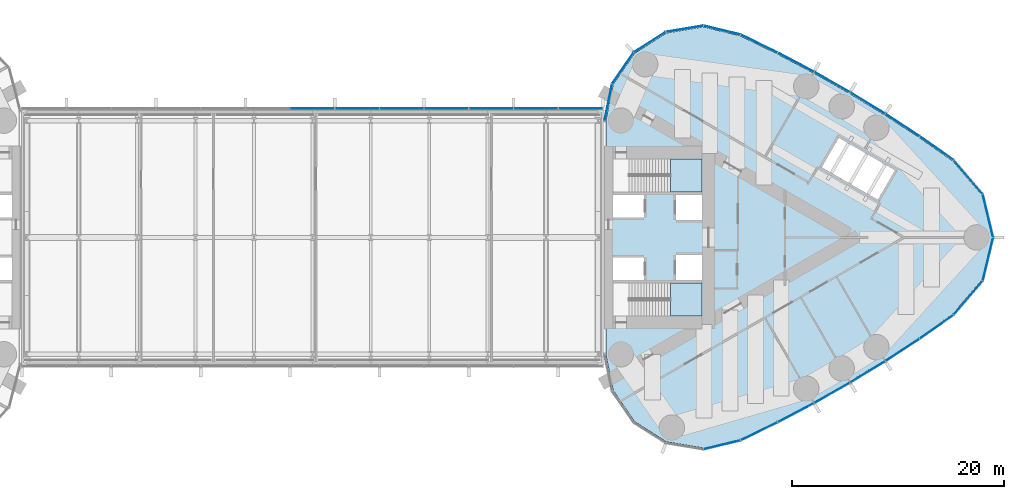
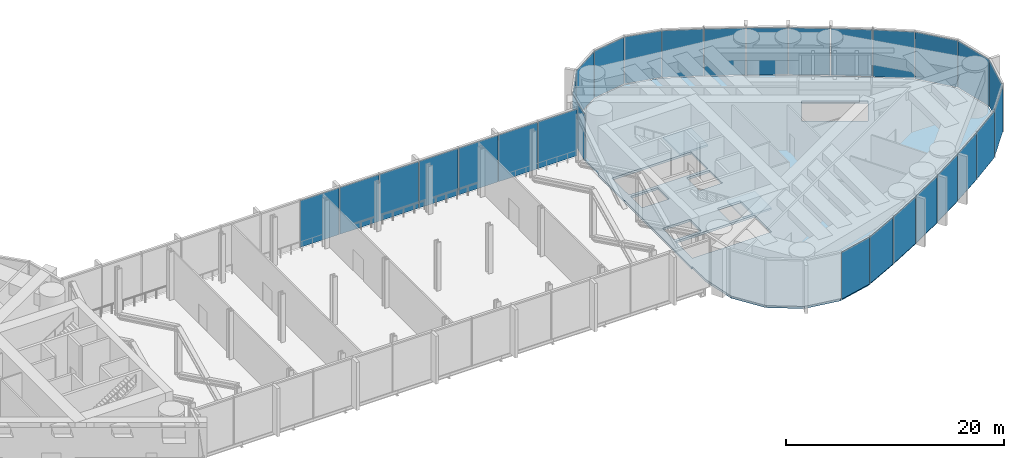
# One storey, part 14 of 21: 29 plates, 3 slabs, 4 elements without a shape of their own.
"""IFC4 building model written with IfcOpenShell, lengths in metres."""

import ifcopenshell
import ifcopenshell.guid

model = None  # the IFC model being written
_history = None  # IfcOwnerHistory: only IFC2X3 demands one
_inside = {}  # id of a spatial element -> (the spatial element, [elements in it])
_under = {}  # id of a project, library or spatial element -> (it, [spatial elements below it])
_declared = {}  # id of a project -> (the project, [libraries it declares])
_typed = {}  # id of a type object -> (the type object, [elements of that type])
_made_of = {}  # id of a material, layer set ... -> (it, [elements and type objects made of it])


def new_model(schema):
    """Start an empty IFC model of exactly this schema.

    Asked for "IFC4X3", IfcOpenShell would pick the latest addendum, in which some entities
    have other attributes; the version numbers below select the first issue.
    IFC2X3 requires an IfcOwnerHistory on every rooted entity: one is made here for all.
    """
    global model, _history
    if schema == "IFC4X3":
        model = ifcopenshell.file(schema_version=(4, 3, 0, 0))
    else:
        model = ifcopenshell.file(schema=schema)
    _inside.clear()
    _under.clear()
    _declared.clear()
    _typed.clear()
    _made_of.clear()
    _history = None
    if model.schema == "IFC2X3":
        org = make("IfcOrganization", Name="unknown")
        user = make(
            "IfcPersonAndOrganization",
            ThePerson=make("IfcPerson", FamilyName="unknown"),
            TheOrganization=org,
        )
        app = make(
            "IfcApplication",
            ApplicationDeveloper=org,
            Version="unknown",
            ApplicationFullName="unknown",
            ApplicationIdentifier="unknown",
        )
        _history = make(
            "IfcOwnerHistory",
            OwningUser=user,
            OwningApplication=app,
            ChangeAction="ADDED",
            CreationDate=0,
        )
    return model


def make(cls, **values):
    """One entity of the class cls with the attributes given. An attribute that is None is left unset."""
    return model.create_entity(
        cls, **{name: value for name, value in values.items() if value is not None}
    )


def rooted(cls, **values):
    """An entity with a GlobalId (a new one), such as an element, a storey or a relation."""
    return make(cls, GlobalId=ifcopenshell.guid.new(), OwnerHistory=_history, **values)


def si_unit(unit_type, name, prefix=None):
    """IfcSIUnit, for example si_unit("LENGTHUNIT", "METRE", prefix="MILLI")."""
    return make("IfcSIUnit", UnitType=unit_type, Prefix=prefix, Name=name)


def assignment(units):
    """IfcUnitAssignment: the units of a project."""
    return None if units is None else make("IfcUnitAssignment", Units=units)


def point(xyz):
    """IfcCartesianPoint."""
    return None if xyz is None else make("IfcCartesianPoint", Coordinates=xyz)


def direction(xyz):
    """IfcDirection."""
    return None if xyz is None else make("IfcDirection", DirectionRatios=xyz)


def frame(location, z_axis=None, x_axis=None):
    """IfcAxis2Placement3D, a coordinate frame: its origin and axes. An axis left out is left unset."""
    return make(
        "IfcAxis2Placement3D",
        Location=point(location),
        Axis=direction(z_axis),
        RefDirection=direction(x_axis),
    )


def frame_2d(location, x_axis=None):
    """IfcAxis2Placement2D, a coordinate frame in the plane: its origin and x axis."""
    return make(
        "IfcAxis2Placement2D", Location=point(location), RefDirection=direction(x_axis)
    )


def origin():
    """The frame at (0, 0, 0) with its axes left unset."""
    return frame((0.0, 0.0, 0.0))


def origin_2d():
    """The frame at (0, 0) in the plane with its x axis left unset."""
    return frame_2d((0.0, 0.0))


def place(relative_to, where):
    """IfcLocalPlacement: puts the frame where relative to a parent placement (None: the world)."""
    return make(
        "IfcLocalPlacement", PlacementRelTo=relative_to, RelativePlacement=where
    )


def context(
    kind, dimensions, precision=None, world=None, true_north=None, identifier=None
):
    """IfcGeometricRepresentationContext, for example the 3D "Model" context."""
    return make(
        "IfcGeometricRepresentationContext",
        ContextIdentifier=identifier,
        ContextType=kind,
        CoordinateSpaceDimension=dimensions,
        Precision=precision,
        WorldCoordinateSystem=world,
        TrueNorth=true_north,
    )


def subcontext(parent, identifier, kind, view, scale=None):
    """IfcGeometricRepresentationSubContext, for example "Body" below "Model"."""
    return make(
        "IfcGeometricRepresentationSubContext",
        ContextIdentifier=identifier,
        ContextType=kind,
        ParentContext=parent,
        TargetScale=scale,
        TargetView=view,
    )


def project(units=None, contexts=None):
    """IfcProject with its units and contexts."""
    return rooted(
        "IfcProject",
        Name="project",
        RepresentationContexts=contexts,
        UnitsInContext=assignment(units),
    )


def spatial(cls, under=None, at=None, **own):
    """A site, building, storey or space (cls), placed at a placement, below another one or the project."""
    s = rooted(cls, ObjectPlacement=at, **own)
    if under is not None:
        _under.setdefault(under.id(), (under, []))[1].append(s)
    return s


def polyline(points):
    """IfcPolyline through the points."""
    return make("IfcPolyline", Points=[point(p) for p in points])


def profile(cls, at=None, kind="AREA", **sizes):
    """A parametric profile (cls). Its sizes go by their IFC names, for example OverallWidth=200.0."""
    return make(cls, ProfileType=kind, Position=at, **sizes)


def rectangle(**sizes):
    """IfcRectangleProfileDef."""
    return profile("IfcRectangleProfileDef", **sizes)


def outline(outer, holes=None, kind="AREA"):
    """IfcArbitraryClosedProfileDef: a profile drawn as a closed curve; with holes, ...WithVoids."""
    if holes is None:
        return make("IfcArbitraryClosedProfileDef", ProfileType=kind, OuterCurve=outer)
    return make(
        "IfcArbitraryProfileDefWithVoids",
        ProfileType=kind,
        OuterCurve=outer,
        InnerCurves=holes,
    )


def extrude(swept, where, along, depth):
    """IfcExtrudedAreaSolid: the profile swept, set in the frame where, extruded along a direction by depth."""
    return make(
        "IfcExtrudedAreaSolid",
        SweptArea=swept,
        Position=where,
        ExtrudedDirection=direction(along),
        Depth=depth,
    )


def shape(context_of_items, identifier, shape_type, items):
    """IfcShapeRepresentation: the items that make up one representation, for example the "Body"."""
    return make(
        "IfcShapeRepresentation",
        ContextOfItems=context_of_items,
        RepresentationIdentifier=identifier,
        RepresentationType=shape_type,
        Items=items,
    )


def material(Name=None, Category=None):
    """IfcMaterial."""
    return make("IfcMaterial", Name=Name, Category=Category)


def layer(
    of_material, thickness, ventilated=None, Name=None, Category=None, Priority=None
):
    """IfcMaterialLayer: one layer of a wall or slab, of a material (None: an air gap)."""
    return make(
        "IfcMaterialLayer",
        Material=of_material,
        LayerThickness=thickness,
        IsVentilated=ventilated,
        Name=Name,
        Category=Category,
        Priority=Priority,
    )


def layer_set(layers, Name=None):
    """IfcMaterialLayerSet."""
    return make("IfcMaterialLayerSet", MaterialLayers=layers, LayerSetName=Name)


def made_of(thing, what):
    """Note that an element or type object is made of a material, layer set ...; save() writes the relation."""
    if what is not None:
        _made_of.setdefault(what.id(), (what, []))[1].append(thing)
    return thing


def type_object(cls, material=None, **own):
    """A type object (cls), such as IfcWallType, which elements share."""
    return made_of(rooted(cls, **own), material)


def element(
    cls,
    number,
    at=None,
    inside=None,
    cuts=None,
    type_object=None,
    material=None,
    context=None,
    identifier="Body",
    shape_type=None,
    held_by="IfcProductDefinitionShape",
    body=None,
    shapes=None,
    **own,
):
    """One element of the class cls, such as IfcWall. Its Tag is "e" and its number.

    at: its placement. inside: the storey or other place that contains it. cuts: it is an
    opening in that element (IfcRelVoidsElement). A single representation is given by context,
    identifier, shape_type and body (its items); several are given by shapes. held_by: the class
    of the entity that holds the representations. save() writes the other relations.
    """
    e = rooted(cls, Tag="e%d" % number, ObjectPlacement=at, **own)
    if body is not None:
        shapes = [shape(context, identifier, shape_type, body)]
    if shapes is not None:
        e.Representation = make(held_by, Representations=shapes)
    if inside is not None:
        _inside.setdefault(inside.id(), (inside, []))[1].append(e)
    if cuts is not None:
        rooted(
            "IfcRelVoidsElement", RelatingBuildingElement=cuts, RelatedOpeningElement=e
        )
    if type_object is not None:
        _typed.setdefault(type_object.id(), (type_object, []))[1].append(e)
    return made_of(e, material)


def aggregate(whole, parts):
    """IfcRelAggregates: a whole, such as a stair, and the parts it consists of."""
    return rooted("IfcRelAggregates", RelatingObject=whole, RelatedObjects=parts)


def save(model, path):
    """Write the relations noted so far, then the file.

    IfcRelAggregates (storeys below a building ...), IfcRelContainedInSpatialStructure (elements
    in a storey), IfcRelDefinesByType, IfcRelAssociatesMaterial and IfcRelDeclares: one each for
    every whole, place, type object, material and project.
    """
    for whole, parts in _under.values():
        aggregate(whole, parts)
    for where, things in _inside.values():
        rooted(
            "IfcRelContainedInSpatialStructure",
            RelatedElements=things,
            RelatingStructure=where,
        )
    for kind, things in _typed.values():
        rooted("IfcRelDefinesByType", RelatedObjects=things, RelatingType=kind)
    for what, things in _made_of.values():
        rooted("IfcRelAssociatesMaterial", RelatedObjects=things, RelatingMaterial=what)
    for by, libraries in _declared.values():
        rooted("IfcRelDeclares", RelatingContext=by, RelatedDefinitions=libraries)
    model.write(path)


model = new_model("IFC4")

# Units and contexts
model_context = context("Model", 3, precision=1e-05, world=origin(), true_north=direction((0.0, 1.0)))
body_context = subcontext(model_context, "Body", "Model", "MODEL_VIEW")
ifc_project = project(units=[si_unit("LENGTHUNIT", "METRE"), si_unit("AREAUNIT", "SQUARE_METRE"), si_unit("VOLUMEUNIT", "CUBIC_METRE"), si_unit("PLANEANGLEUNIT", "RADIAN"), si_unit("MASSUNIT", "GRAM", prefix="KILO")], contexts=[model_context])

# Site, building, storey
site_placement = place(None, origin())
site = spatial("IfcSite", under=ifc_project, at=site_placement, CompositionType="ELEMENT")
building_placement = place(site_placement, origin())
building = spatial("IfcBuilding", under=site, at=building_placement, Name="Lancet Gate Hotel", CompositionType="ELEMENT")
storey_placement = place(building_placement, frame((0.0, 0.0, 251.89990234375)))
storey = spatial("IfcBuildingStorey", under=building, at=storey_placement, Name="L67", CompositionType="ELEMENT", Elevation=251.89990234375)

# Slab
ifc_material_1 = material(Name="Concrete C50/60", Category="concrete")
ifc_layer_1 = layer(ifc_material_1, 0.25)
ifc_layer_set_1 = layer_set([ifc_layer_1], Name="Floor slab 250")
slab_type_1 = type_object("IfcSlabType", Name="Floor slab 250", PredefinedType="FLOOR", material=ifc_layer_set_1)
slab_1_placement = place(storey_placement, frame((0.0, 0.0, -0.25)))
element("IfcSlab", 1, at=slab_1_placement, inside=storey, type_object=slab_type_1, Name="T2 L67 floor slab", PredefinedType="FLOOR", context=body_context, shape_type="SweptSolid", body=[
    extrude(outline(polyline([(27.5, -8.60009765625), (27.6201171875, -8.60009765625), (27.6201171875, -10.93603515625), (28.329345703125, -14.419677734375), (30.33740234375, -17.338134765625), (33.326904296875, -19.2392578125), (36.82177734375, -19.81982421875), (40.2763671875, -18.98486328125), (43.753662109375, -17.2890625), (47.18603515625, -15.47998046875), (50.5595703125, -13.56396484375), (53.87158203125, -11.54296875), (57.118408203125, -9.4189453125), (60.2861328125, -7.20166015625), (62.99658203125, -4.03759765625), (63.968017578125, 0.0), (62.99658203125, 4.03759765625), (60.2861328125, 7.20166015625), (57.118408203125, 9.4189453125), (53.87158203125, 11.54296875), (50.5595703125, 13.56396484375), (47.18603515625, 15.47998046875), (43.753662109375, 17.2890625), (40.2763671875, 18.98486328125), (36.82177734375, 19.81982421875), (33.326904296875, 19.2392578125), (30.33740234375, 17.338134765625), (28.329345703125, 14.419677734375), (27.6201171875, 10.93603515625), (27.6201171875, 8.60009765625), (27.5, 8.60009765625), (27.5, 8.199951171875), (27.5, -8.199951171875), (27.5, -8.60009765625)]), holes=[polyline([(36.699951171875, -7.39990234375), (36.699951171875, -4.300048828125), (28.300048828125, -4.300048828125), (28.300048828125, -7.39990234375), (36.699951171875, -7.39990234375)]), polyline([(28.300048828125, -4.0), (31.199951171875, -4.0), (31.199951171875, -1.89990234375), (28.300048828125, -1.89990234375), (28.300048828125, -4.0)]), polyline([(34.25, -4.0), (36.699951171875, -4.0), (36.699951171875, -1.64990234375), (34.25, -1.64990234375), (34.25, -4.0)]), polyline([(36.699951171875, 1.64990234375), (36.699951171875, 4.0), (34.25, 4.0), (34.25, 1.64990234375), (36.699951171875, 1.64990234375)]), polyline([(28.300048828125, 1.89990234375), (31.199951171875, 1.89990234375), (31.199951171875, 4.0), (28.300048828125, 4.0), (28.300048828125, 1.89990234375)]), polyline([(28.300048828125, 4.300048828125), (36.699951171875, 4.300048828125), (36.699951171875, 7.39990234375), (28.300048828125, 7.39990234375), (28.300048828125, 4.300048828125)]), polyline([(53.242919921875, 3.555908203125), (54.843017578125, 6.326904296875), (49.56103515625, 9.376953125), (47.9609375, 6.60595703125), (53.242919921875, 3.555908203125)])]), origin(), (0.0, 0.0, 1.0), 0.25),
])

# Curtain wall, plates
ifc_material_2 = material(Name="Aluminium curtain wall", Category="aluminium")
curtain_wall_type = type_object("IfcCurtainWallType", Name="Sky deck full-height glazing", PredefinedType="USERDEFINED", material=ifc_material_2)
curtain_wall_1_placement = place(storey_placement, origin())
curtain_wall_1 = element("IfcCurtainWall", 2, at=curtain_wall_1_placement, inside=storey, type_object=curtain_wall_type, Name="T2 L67 curtain wall 1", ObjectType="UNITISED CURTAIN WALL", PredefinedType="USERDEFINED")
ifc_material_3 = material(Name="Laminated double glazed unit 10-20-14")
ifc_layer_2 = layer(ifc_material_3, 0.0439453125)
ifc_layer_set_2 = layer_set([ifc_layer_2], Name="Sky deck glass panel")
plate_type = type_object("IfcPlateType", Name="Sky deck glass panel", PredefinedType="CURTAIN_PANEL", material=ifc_layer_set_2)
plate_1_placement = place(storey_placement, frame((38.57177734375, -19.520263671875, 0.0), z_axis=(0.0, 0.0, 1.0), x_axis=(0.972013837597, 0.234923603582, 0.0)))
plate_1 = element("IfcPlate", 3, at=plate_1_placement, type_object=plate_type, Name="T2 L67 curtain wall 1 panel 5", PredefinedType="CURTAIN_PANEL", context=body_context, shape_type="SweptSolid", body=[
    extrude(rectangle(XDim=3.526611328125, YDim=0.0439453125, at=origin_2d()), origin(), (0.0, 0.0, 1.0), 5.25),
])
plate_2_placement = place(storey_placement, frame((42.062744140625, -18.247314453125, 0.0), z_axis=(0.0, 0.0, 1.0), x_axis=(0.898823462202, 0.438310830114, 0.0)))
plate_2 = element("IfcPlate", 4, at=plate_2_placement, type_object=plate_type, Name="T2 L67 curtain wall 1 panel 6", PredefinedType="CURTAIN_PANEL", context=body_context, shape_type="SweptSolid", body=[
    extrude(rectangle(XDim=3.818603515625, YDim=0.0439453125, at=origin_2d()), origin(), (0.0, 0.0, 1.0), 5.25),
])
plate_3_placement = place(storey_placement, frame((45.52587890625, -16.49072265625, 0.0), z_axis=(0.0, 0.0, 1.0), x_axis=(0.884622760861, 0.466307378204, 0.0)))
plate_3 = element("IfcPlate", 5, at=plate_3_placement, type_object=plate_type, Name="T2 L67 curtain wall 1 panel 7", PredefinedType="CURTAIN_PANEL", context=body_context, shape_type="SweptSolid", body=[
    extrude(rectangle(XDim=3.818603515625, YDim=0.0439453125, at=origin_2d()), origin(), (0.0, 0.0, 1.0), 5.25),
])
plate_4_placement = place(storey_placement, frame((48.93212890625, -14.626220703125, 0.0), z_axis=(0.0, 0.0, 1.0), x_axis=(0.869550293306, 0.493844395951, 0.0)))
plate_4 = element("IfcPlate", 6, at=plate_4_placement, type_object=plate_type, Name="T2 L67 curtain wall 1 panel 8", PredefinedType="CURTAIN_PANEL", context=body_context, shape_type="SweptSolid", body=[
    extrude(rectangle(XDim=3.818603515625, YDim=0.0439453125, at=origin_2d()), origin(), (0.0, 0.0, 1.0), 5.25),
])
plate_5_placement = place(storey_placement, frame((52.278076171875, -12.65576171875, 0.0), z_axis=(0.0, 0.0, 1.0), x_axis=(0.853620912967, 0.520894746513, 0.0)))
plate_5 = element("IfcPlate", 7, at=plate_5_placement, type_object=plate_type, Name="T2 L67 curtain wall 1 panel 9", PredefinedType="CURTAIN_PANEL", context=body_context, shape_type="SweptSolid", body=[
    extrude(rectangle(XDim=3.818603515625, YDim=0.0439453125, at=origin_2d()), origin(), (0.0, 0.0, 1.0), 5.25),
])
plate_6_placement = place(storey_placement, frame((55.560791015625, -10.581298828125, 0.0), z_axis=(0.0, 0.0, 1.0), x_axis=(0.83685031771, 0.547431772688, 0.0)))
plate_6 = element("IfcPlate", 8, at=plate_6_placement, type_object=plate_type, Name="T2 L67 curtain wall 1 panel 10", PredefinedType="CURTAIN_PANEL", context=body_context, shape_type="SweptSolid", body=[
    extrude(rectangle(XDim=3.818603515625, YDim=0.0439453125, at=origin_2d()), origin(), (0.0, 0.0, 1.0), 5.25),
])
plate_7_placement = place(storey_placement, frame((58.776611328125, -8.40478515625, 0.0), z_axis=(0.0, 0.0, 1.0), x_axis=(0.819255034386, 0.573429323137, 0.0)))
plate_7 = element("IfcPlate", 9, at=plate_7_placement, type_object=plate_type, Name="T2 L67 curtain wall 1 panel 11", PredefinedType="CURTAIN_PANEL", context=body_context, shape_type="SweptSolid", body=[
    extrude(rectangle(XDim=3.818603515625, YDim=0.0439453125, at=origin_2d()), origin(), (0.0, 0.0, 1.0), 5.25),
])
plate_8_placement = place(storey_placement, frame((61.737060546875, -5.692626953125, 0.0), z_axis=(0.0, 0.0, 1.0), x_axis=(0.650551562434, 0.759462088991, 0.0)))
plate_8 = element("IfcPlate", 10, at=plate_8_placement, type_object=plate_type, Name="T2 L67 curtain wall 1 panel 12", PredefinedType="CURTAIN_PANEL", context=body_context, shape_type="SweptSolid", body=[
    extrude(rectangle(XDim=4.1455078125, YDim=0.0439453125, at=origin_2d()), origin(), (0.0, 0.0, 1.0), 5.25),
])
plate_9_placement = place(storey_placement, frame((63.598876953125, -2.046875, 0.0), z_axis=(0.0, 0.0, 1.0), x_axis=(0.233916001796, 0.972256809749, 0.0)))
plate_9 = element("IfcPlate", 11, at=plate_9_placement, type_object=plate_type, Name="T2 L67 curtain wall 1 panel 13", PredefinedType="CURTAIN_PANEL", context=body_context, shape_type="SweptSolid", body=[
    extrude(rectangle(XDim=4.1455078125, YDim=0.0439453125, at=origin_2d()), origin(), (0.0, 0.0, 1.0), 5.25),
])
plate_10_placement = place(storey_placement, frame((63.598876953125, 2.046875, 0.0), z_axis=(0.0, 0.0, 1.0), x_axis=(-0.233916001796, 0.972256809749, 0.0)))
plate_10 = element("IfcPlate", 12, at=plate_10_placement, type_object=plate_type, Name="T2 L67 curtain wall 1 panel 14", PredefinedType="CURTAIN_PANEL", context=body_context, shape_type="SweptSolid", body=[
    extrude(rectangle(XDim=4.1455078125, YDim=0.0439453125, at=origin_2d()), origin(), (0.0, 0.0, 1.0), 5.25),
])
plate_11_placement = place(storey_placement, frame((61.737060546875, 5.692626953125, 0.0), z_axis=(0.0, 0.0, 1.0), x_axis=(-0.650551562434, 0.759462088991, 0.0)))
plate_11 = element("IfcPlate", 13, at=plate_11_placement, type_object=plate_type, Name="T2 L67 curtain wall 1 panel 15", PredefinedType="CURTAIN_PANEL", context=body_context, shape_type="SweptSolid", body=[
    extrude(rectangle(XDim=4.1455078125, YDim=0.0439453125, at=origin_2d()), origin(), (0.0, 0.0, 1.0), 5.25),
])
plate_12_placement = place(storey_placement, frame((58.776611328125, 8.40478515625, 0.0), z_axis=(0.0, 0.0, 1.0), x_axis=(-0.819255034386, 0.573429323137, 0.0)))
plate_12 = element("IfcPlate", 14, at=plate_12_placement, type_object=plate_type, Name="T2 L67 curtain wall 1 panel 16", PredefinedType="CURTAIN_PANEL", context=body_context, shape_type="SweptSolid", body=[
    extrude(rectangle(XDim=3.818603515625, YDim=0.0439453125, at=origin_2d()), origin(), (0.0, 0.0, 1.0), 5.25),
])
plate_13_placement = place(storey_placement, frame((55.560791015625, 10.581298828125, 0.0), z_axis=(0.0, 0.0, 1.0), x_axis=(-0.83685031771, 0.547431772688, 0.0)))
plate_13 = element("IfcPlate", 15, at=plate_13_placement, type_object=plate_type, Name="T2 L67 curtain wall 1 panel 17", PredefinedType="CURTAIN_PANEL", context=body_context, shape_type="SweptSolid", body=[
    extrude(rectangle(XDim=3.818603515625, YDim=0.0439453125, at=origin_2d()), origin(), (0.0, 0.0, 1.0), 5.25),
])
plate_14_placement = place(storey_placement, frame((52.278076171875, 12.65576171875, 0.0), z_axis=(0.0, 0.0, 1.0), x_axis=(-0.853620912967, 0.520894746513, 0.0)))
plate_14 = element("IfcPlate", 16, at=plate_14_placement, type_object=plate_type, Name="T2 L67 curtain wall 1 panel 18", PredefinedType="CURTAIN_PANEL", context=body_context, shape_type="SweptSolid", body=[
    extrude(rectangle(XDim=3.818603515625, YDim=0.0439453125, at=origin_2d()), origin(), (0.0, 0.0, 1.0), 5.25),
])
plate_15_placement = place(storey_placement, frame((48.93212890625, 14.626220703125, 0.0), z_axis=(0.0, 0.0, 1.0), x_axis=(-0.869550293306, 0.493844395951, 0.0)))
plate_15 = element("IfcPlate", 17, at=plate_15_placement, type_object=plate_type, Name="T2 L67 curtain wall 1 panel 19", PredefinedType="CURTAIN_PANEL", context=body_context, shape_type="SweptSolid", body=[
    extrude(rectangle(XDim=3.818603515625, YDim=0.0439453125, at=origin_2d()), origin(), (0.0, 0.0, 1.0), 5.25),
])
plate_16_placement = place(storey_placement, frame((45.52587890625, 16.49072265625, 0.0), z_axis=(0.0, 0.0, 1.0), x_axis=(-0.884622760861, 0.466307378204, 0.0)))
plate_16 = element("IfcPlate", 18, at=plate_16_placement, type_object=plate_type, Name="T2 L67 curtain wall 1 panel 20", PredefinedType="CURTAIN_PANEL", context=body_context, shape_type="SweptSolid", body=[
    extrude(rectangle(XDim=3.818603515625, YDim=0.0439453125, at=origin_2d()), origin(), (0.0, 0.0, 1.0), 5.25),
])
plate_17_placement = place(storey_placement, frame((42.062744140625, 18.247314453125, 0.0), z_axis=(0.0, 0.0, 1.0), x_axis=(-0.898823462202, 0.438310830114, 0.0)))
plate_17 = element("IfcPlate", 19, at=plate_17_placement, type_object=plate_type, Name="T2 L67 curtain wall 1 panel 21", PredefinedType="CURTAIN_PANEL", context=body_context, shape_type="SweptSolid", body=[
    extrude(rectangle(XDim=3.818603515625, YDim=0.0439453125, at=origin_2d()), origin(), (0.0, 0.0, 1.0), 5.25),
])
plate_18_placement = place(storey_placement, frame((38.57177734375, 19.520263671875, 0.0), z_axis=(0.0, 0.0, 1.0), x_axis=(-0.972013837597, 0.234923603582, 0.0)))
plate_18 = element("IfcPlate", 20, at=plate_18_placement, type_object=plate_type, Name="T2 L67 curtain wall 1 panel 22", PredefinedType="CURTAIN_PANEL", context=body_context, shape_type="SweptSolid", body=[
    extrude(rectangle(XDim=3.526611328125, YDim=0.0439453125, at=origin_2d()), origin(), (0.0, 0.0, 1.0), 5.25),
])
plate_19_placement = place(storey_placement, frame((35.0546875, 19.64794921875, 0.0), z_axis=(0.0, 0.0, 1.0), x_axis=(-0.986480101775, -0.163881081283, 0.0)))
plate_19 = element("IfcPlate", 21, at=plate_19_placement, type_object=plate_type, Name="T2 L67 curtain wall 1 panel 23", PredefinedType="CURTAIN_PANEL", context=body_context, shape_type="SweptSolid", body=[
    extrude(rectangle(XDim=3.526611328125, YDim=0.0439453125, at=origin_2d()), origin(), (0.0, 0.0, 1.0), 5.25),
])
plate_20_placement = place(storey_placement, frame((31.767822265625, 18.389892578125, 0.0), z_axis=(0.0, 0.0, 1.0), x_axis=(-0.843845020422, -0.536586974785, 0.0)))
plate_20 = element("IfcPlate", 22, at=plate_20_placement, type_object=plate_type, Name="T2 L67 curtain wall 1 panel 24", PredefinedType="CURTAIN_PANEL", context=body_context, shape_type="SweptSolid", body=[
    extrude(rectangle(XDim=3.526611328125, YDim=0.0439453125, at=origin_2d()), origin(), (0.0, 0.0, 1.0), 5.25),
])
plate_21_placement = place(storey_placement, frame((29.234619140625, 15.947021484375, 0.0), z_axis=(0.0, 0.0, 1.0), x_axis=(-0.566823864908, -0.823839005007, 0.0)))
plate_21 = element("IfcPlate", 23, at=plate_21_placement, type_object=plate_type, Name="T2 L67 curtain wall 1 panel 25", PredefinedType="CURTAIN_PANEL", context=body_context, shape_type="SweptSolid", body=[
    extrude(rectangle(XDim=3.526611328125, YDim=0.0439453125, at=origin_2d()), origin(), (0.0, 0.0, 1.0), 5.25),
])
plate_22_placement = place(storey_placement, frame((27.8583984375, 12.707763671875, 0.0), z_axis=(0.0, 0.0, 1.0), x_axis=(-0.199533486841, -0.979891008036, 0.0)))
plate_22 = element("IfcPlate", 24, at=plate_22_placement, type_object=plate_type, Name="T2 L67 curtain wall 1 panel 26", PredefinedType="CURTAIN_PANEL", context=body_context, shape_type="SweptSolid", body=[
    extrude(rectangle(XDim=3.526611328125, YDim=0.0439453125, at=origin_2d()), origin(), (0.0, 0.0, 1.0), 5.25),
])
aggregate(curtain_wall_1, [plate_1, plate_2, plate_3, plate_4, plate_5, plate_6, plate_7, plate_8, plate_9, plate_10, plate_11, plate_12, plate_13, plate_14, plate_15, plate_16, plate_17, plate_18, plate_19, plate_20, plate_21, plate_22])

curtain_wall_2_placement = place(storey_placement, origin())
curtain_wall_2 = element("IfcCurtainWall", 25, at=curtain_wall_2_placement, inside=storey, type_object=curtain_wall_type, Name="Bridge block L67 curtain wall N", ObjectType="UNITISED CURTAIN WALL", PredefinedType="USERDEFINED")
plate_23_placement = place(storey_placement, frame((25.24609375, 12.1201171875, 0.0), z_axis=(0.0, 0.0, 1.0), x_axis=(-1.0, 0.0, 0.0)))
plate_23 = element("IfcPlate", 26, at=plate_23_placement, type_object=plate_type, Name="Bridge block L67 curtain wall N panel 1", PredefinedType="CURTAIN_PANEL", context=body_context, shape_type="SweptSolid", body=[
    extrude(rectangle(XDim=4.142578125, YDim=0.0439453125, at=origin_2d()), origin(), (0.0, 0.0, 1.0), 5.25),
])
plate_24_placement = place(storey_placement, frame((21.03857421875, 12.1201171875, 0.0), z_axis=(0.0, 0.0, 1.0), x_axis=(-1.0, 0.0, 0.0)))
plate_24 = element("IfcPlate", 27, at=plate_24_placement, type_object=plate_type, Name="Bridge block L67 curtain wall N panel 2", PredefinedType="CURTAIN_PANEL", context=body_context, shape_type="SweptSolid", body=[
    extrude(rectangle(XDim=4.142578125, YDim=0.0439453125, at=origin_2d()), origin(), (0.0, 0.0, 1.0), 5.25),
])
plate_25_placement = place(storey_placement, frame((16.830810546875, 12.1201171875, 0.0), z_axis=(0.0, 0.0, 1.0), x_axis=(-1.0, 0.0, 0.0)))
plate_25 = element("IfcPlate", 28, at=plate_25_placement, type_object=plate_type, Name="Bridge block L67 curtain wall N panel 3", PredefinedType="CURTAIN_PANEL", context=body_context, shape_type="SweptSolid", body=[
    extrude(rectangle(XDim=4.142578125, YDim=0.0439453125, at=origin_2d()), origin(), (0.0, 0.0, 1.0), 5.25),
])
plate_26_placement = place(storey_placement, frame((12.623046875, 12.1201171875, 0.0), z_axis=(0.0, 0.0, 1.0), x_axis=(-1.0, 0.0, 0.0)))
plate_26 = element("IfcPlate", 29, at=plate_26_placement, type_object=plate_type, Name="Bridge block L67 curtain wall N panel 4", PredefinedType="CURTAIN_PANEL", context=body_context, shape_type="SweptSolid", body=[
    extrude(rectangle(XDim=4.142578125, YDim=0.0439453125, at=origin_2d()), origin(), (0.0, 0.0, 1.0), 5.25),
])
plate_27_placement = place(storey_placement, frame((8.415283203125, 12.1201171875, 0.0), z_axis=(0.0, 0.0, 1.0), x_axis=(-1.0, 0.0, 0.0)))
plate_27 = element("IfcPlate", 30, at=plate_27_placement, type_object=plate_type, Name="Bridge block L67 curtain wall N panel 5", PredefinedType="CURTAIN_PANEL", context=body_context, shape_type="SweptSolid", body=[
    extrude(rectangle(XDim=4.142578125, YDim=0.0439453125, at=origin_2d()), origin(), (0.0, 0.0, 1.0), 5.25),
])
plate_28_placement = place(storey_placement, frame((4.207763671875, 12.1201171875, 0.0), z_axis=(0.0, 0.0, 1.0), x_axis=(-1.0, 0.0, 0.0)))
plate_28 = element("IfcPlate", 31, at=plate_28_placement, type_object=plate_type, Name="Bridge block L67 curtain wall N panel 6", PredefinedType="CURTAIN_PANEL", context=body_context, shape_type="SweptSolid", body=[
    extrude(rectangle(XDim=4.142578125, YDim=0.0439453125, at=origin_2d()), origin(), (0.0, 0.0, 1.0), 5.25),
])
plate_29_placement = place(storey_placement, frame((0.0, 12.1201171875, 0.0), z_axis=(0.0, 0.0, 1.0), x_axis=(-1.0, 0.0, 0.0)))
plate_29 = element("IfcPlate", 32, at=plate_29_placement, type_object=plate_type, Name="Bridge block L67 curtain wall N panel 7", PredefinedType="CURTAIN_PANEL", context=body_context, shape_type="SweptSolid", body=[
    extrude(rectangle(XDim=4.142578125, YDim=0.0439453125, at=origin_2d()), origin(), (0.0, 0.0, 1.0), 5.25),
])
aggregate(curtain_wall_2, [plate_23, plate_24, plate_25, plate_26, plate_27, plate_28, plate_29])

# Stair, slab
ifc_material_4 = material(Name="Exit stair 30 risers 1500")
stair_type = type_object("IfcStairType", Name="Exit stair 30 risers 1500", PredefinedType="HALF_TURN_STAIR", material=ifc_material_4)
stair_1_placement = place(storey_placement, origin())
stair_1 = element("IfcStair", 33, at=stair_1_placement, inside=storey, type_object=stair_type, Name="T2 stair 1 L67", PredefinedType="HALF_TURN_STAIR")
ifc_material_5 = material(Name="Concrete C40/50", Category="concrete")
ifc_layer_3 = layer(ifc_material_5, 0.199951171875)
ifc_layer_set_3 = layer_set([ifc_layer_3], Name="Stair landing 200")
slab_type_2 = type_object("IfcSlabType", Name="Stair landing 200", PredefinedType="LANDING", material=ifc_layer_set_3)
slab_2_placement = place(storey_placement, frame((0.0, 0.0, 2.5)))
slab_2 = element("IfcSlab", 34, at=slab_2_placement, type_object=slab_type_2, Name="ST3 landing 2", PredefinedType="LANDING", context=body_context, shape_type="SweptSolid", body=[
    extrude(outline(polyline([(33.719970703125, -7.39990234375), (36.699951171875, -7.39990234375), (36.699951171875, -4.300048828125), (33.719970703125, -4.300048828125), (33.719970703125, -7.39990234375)])), origin(), (0.0, 0.0, 1.0), 0.2001953125),
])
aggregate(stair_1, [slab_2])

stair_2_placement = place(storey_placement, origin())
stair_2 = element("IfcStair", 35, at=stair_2_placement, inside=storey, type_object=stair_type, Name="T2 stair 2 L67", PredefinedType="HALF_TURN_STAIR")
slab_3_placement = place(storey_placement, frame((0.0, 0.0, 2.5)))
slab_3 = element("IfcSlab", 36, at=slab_3_placement, type_object=slab_type_2, Name="ST4 landing 2", PredefinedType="LANDING", context=body_context, shape_type="SweptSolid", body=[
    extrude(outline(polyline([(33.719970703125, 4.300048828125), (36.699951171875, 4.300048828125), (36.699951171875, 7.39990234375), (33.719970703125, 7.39990234375), (33.719970703125, 4.300048828125)])), origin(), (0.0, 0.0, 1.0), 0.2001953125),
])
aggregate(stair_2, [slab_3])

save(model, "model.ifc")
